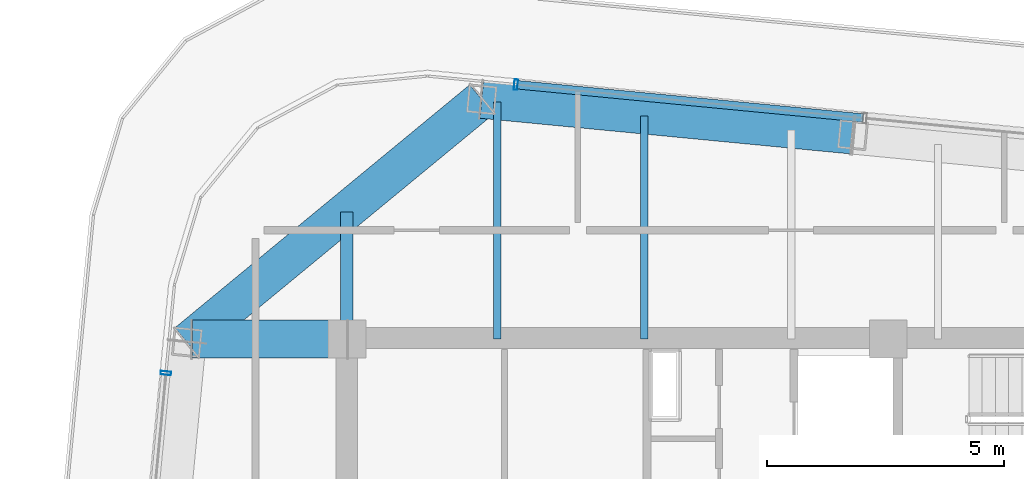
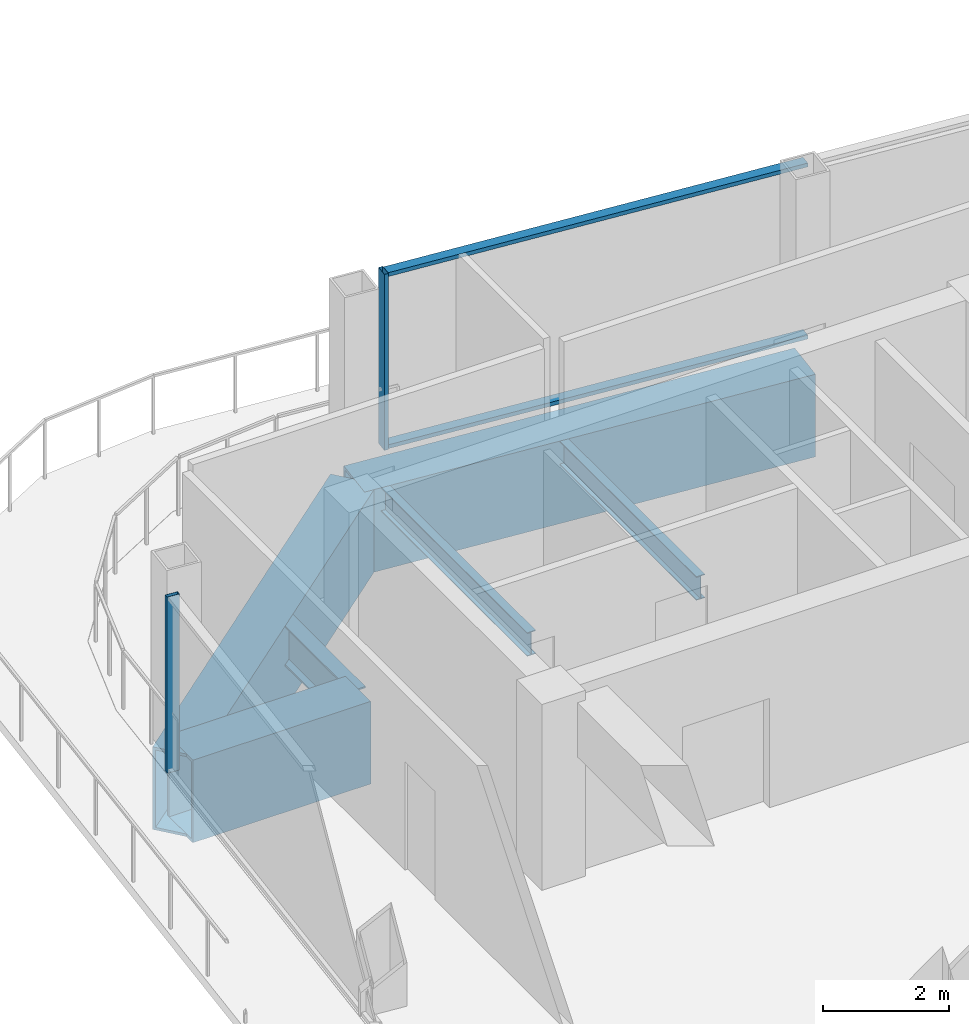
# One storey, part 8 of 20: 6 beams, 4 members, 2 elements without a shape of their own.
"""IFC4 building model written with IfcOpenShell, lengths in metres."""

import ifcopenshell
import ifcopenshell.guid

model = None  # the IFC model being written
_history = None  # IfcOwnerHistory: only IFC2X3 demands one
_inside = {}  # id of a spatial element -> (the spatial element, [elements in it])
_under = {}  # id of a project, library or spatial element -> (it, [spatial elements below it])
_declared = {}  # id of a project -> (the project, [libraries it declares])
_typed = {}  # id of a type object -> (the type object, [elements of that type])
_made_of = {}  # id of a material, layer set ... -> (it, [elements and type objects made of it])


def new_model(schema):
    """Start an empty IFC model of exactly this schema.

    Asked for "IFC4X3", IfcOpenShell would pick the latest addendum, in which some entities
    have other attributes; the version numbers below select the first issue.
    IFC2X3 requires an IfcOwnerHistory on every rooted entity: one is made here for all.
    """
    global model, _history
    if schema == "IFC4X3":
        model = ifcopenshell.file(schema_version=(4, 3, 0, 0))
    else:
        model = ifcopenshell.file(schema=schema)
    _inside.clear()
    _under.clear()
    _declared.clear()
    _typed.clear()
    _made_of.clear()
    _history = None
    if model.schema == "IFC2X3":
        org = make("IfcOrganization", Name="unknown")
        user = make(
            "IfcPersonAndOrganization",
            ThePerson=make("IfcPerson", FamilyName="unknown"),
            TheOrganization=org,
        )
        app = make(
            "IfcApplication",
            ApplicationDeveloper=org,
            Version="unknown",
            ApplicationFullName="unknown",
            ApplicationIdentifier="unknown",
        )
        _history = make(
            "IfcOwnerHistory",
            OwningUser=user,
            OwningApplication=app,
            ChangeAction="ADDED",
            CreationDate=0,
        )
    return model


def make(cls, **values):
    """One entity of the class cls with the attributes given. An attribute that is None is left unset."""
    return model.create_entity(
        cls, **{name: value for name, value in values.items() if value is not None}
    )


def rooted(cls, **values):
    """An entity with a GlobalId (a new one), such as an element, a storey or a relation."""
    return make(cls, GlobalId=ifcopenshell.guid.new(), OwnerHistory=_history, **values)


def si_unit(unit_type, name, prefix=None):
    """IfcSIUnit, for example si_unit("LENGTHUNIT", "METRE", prefix="MILLI")."""
    return make("IfcSIUnit", UnitType=unit_type, Prefix=prefix, Name=name)


def assignment(units):
    """IfcUnitAssignment: the units of a project."""
    return None if units is None else make("IfcUnitAssignment", Units=units)


def point(xyz):
    """IfcCartesianPoint."""
    return None if xyz is None else make("IfcCartesianPoint", Coordinates=xyz)


def direction(xyz):
    """IfcDirection."""
    return None if xyz is None else make("IfcDirection", DirectionRatios=xyz)


def frame(location, z_axis=None, x_axis=None):
    """IfcAxis2Placement3D, a coordinate frame: its origin and axes. An axis left out is left unset."""
    return make(
        "IfcAxis2Placement3D",
        Location=point(location),
        Axis=direction(z_axis),
        RefDirection=direction(x_axis),
    )


def frame_2d(location, x_axis=None):
    """IfcAxis2Placement2D, a coordinate frame in the plane: its origin and x axis."""
    return make(
        "IfcAxis2Placement2D", Location=point(location), RefDirection=direction(x_axis)
    )


def origin():
    """The frame at (0, 0, 0) with its axes left unset."""
    return frame((0.0, 0.0, 0.0))


def origin_2d():
    """The frame at (0, 0) in the plane with its x axis left unset."""
    return frame_2d((0.0, 0.0))


def place(relative_to, where):
    """IfcLocalPlacement: puts the frame where relative to a parent placement (None: the world)."""
    return make(
        "IfcLocalPlacement", PlacementRelTo=relative_to, RelativePlacement=where
    )


def context(
    kind, dimensions, precision=None, world=None, true_north=None, identifier=None
):
    """IfcGeometricRepresentationContext, for example the 3D "Model" context."""
    return make(
        "IfcGeometricRepresentationContext",
        ContextIdentifier=identifier,
        ContextType=kind,
        CoordinateSpaceDimension=dimensions,
        Precision=precision,
        WorldCoordinateSystem=world,
        TrueNorth=true_north,
    )


def subcontext(parent, identifier, kind, view, scale=None):
    """IfcGeometricRepresentationSubContext, for example "Body" below "Model"."""
    return make(
        "IfcGeometricRepresentationSubContext",
        ContextIdentifier=identifier,
        ContextType=kind,
        ParentContext=parent,
        TargetScale=scale,
        TargetView=view,
    )


def project(units=None, contexts=None):
    """IfcProject with its units and contexts."""
    return rooted(
        "IfcProject",
        Name="project",
        RepresentationContexts=contexts,
        UnitsInContext=assignment(units),
    )


def spatial(cls, under=None, at=None, **own):
    """A site, building, storey or space (cls), placed at a placement, below another one or the project."""
    s = rooted(cls, ObjectPlacement=at, **own)
    if under is not None:
        _under.setdefault(under.id(), (under, []))[1].append(s)
    return s


def profile(cls, at=None, kind="AREA", **sizes):
    """A parametric profile (cls). Its sizes go by their IFC names, for example OverallWidth=200.0."""
    return make(cls, ProfileType=kind, Position=at, **sizes)


def hollow_rectangle(**sizes):
    """IfcRectangleHollowProfileDef."""
    return profile("IfcRectangleHollowProfileDef", **sizes)


def i_section(**sizes):
    """IfcIShapeProfileDef."""
    return profile("IfcIShapeProfileDef", **sizes)


def extrude(swept, where, along, depth):
    """IfcExtrudedAreaSolid: the profile swept, set in the frame where, extruded along a direction by depth."""
    return make(
        "IfcExtrudedAreaSolid",
        SweptArea=swept,
        Position=where,
        ExtrudedDirection=direction(along),
        Depth=depth,
    )


def shape(context_of_items, identifier, shape_type, items):
    """IfcShapeRepresentation: the items that make up one representation, for example the "Body"."""
    return make(
        "IfcShapeRepresentation",
        ContextOfItems=context_of_items,
        RepresentationIdentifier=identifier,
        RepresentationType=shape_type,
        Items=items,
    )


def material(Name=None, Category=None):
    """IfcMaterial."""
    return make("IfcMaterial", Name=Name, Category=Category)


def layer(
    of_material, thickness, ventilated=None, Name=None, Category=None, Priority=None
):
    """IfcMaterialLayer: one layer of a wall or slab, of a material (None: an air gap)."""
    return make(
        "IfcMaterialLayer",
        Material=of_material,
        LayerThickness=thickness,
        IsVentilated=ventilated,
        Name=Name,
        Category=Category,
        Priority=Priority,
    )


def layer_set(layers, Name=None):
    """IfcMaterialLayerSet."""
    return make("IfcMaterialLayerSet", MaterialLayers=layers, LayerSetName=Name)


def material_profile(
    of_material, cross_section, Name=None, Category=None, Priority=None
):
    """IfcMaterialProfile: a cross section and its material."""
    return make(
        "IfcMaterialProfile",
        Name=Name,
        Material=of_material,
        Profile=cross_section,
        Priority=Priority,
        Category=Category,
    )


def profile_set(profiles, Name=None, composite=None):
    """IfcMaterialProfileSet."""
    return make(
        "IfcMaterialProfileSet",
        Name=Name,
        MaterialProfiles=profiles,
        CompositeProfile=composite,
    )


def made_of(thing, what):
    """Note that an element or type object is made of a material, layer set ...; save() writes the relation."""
    if what is not None:
        _made_of.setdefault(what.id(), (what, []))[1].append(thing)
    return thing


def type_object(cls, material=None, **own):
    """A type object (cls), such as IfcWallType, which elements share."""
    return made_of(rooted(cls, **own), material)


def element(
    cls,
    number,
    at=None,
    inside=None,
    cuts=None,
    type_object=None,
    material=None,
    context=None,
    identifier="Body",
    shape_type=None,
    held_by="IfcProductDefinitionShape",
    body=None,
    shapes=None,
    **own,
):
    """One element of the class cls, such as IfcWall. Its Tag is "e" and its number.

    at: its placement. inside: the storey or other place that contains it. cuts: it is an
    opening in that element (IfcRelVoidsElement). A single representation is given by context,
    identifier, shape_type and body (its items); several are given by shapes. held_by: the class
    of the entity that holds the representations. save() writes the other relations.
    """
    e = rooted(cls, Tag="e%d" % number, ObjectPlacement=at, **own)
    if body is not None:
        shapes = [shape(context, identifier, shape_type, body)]
    if shapes is not None:
        e.Representation = make(held_by, Representations=shapes)
    if inside is not None:
        _inside.setdefault(inside.id(), (inside, []))[1].append(e)
    if cuts is not None:
        rooted(
            "IfcRelVoidsElement", RelatingBuildingElement=cuts, RelatedOpeningElement=e
        )
    if type_object is not None:
        _typed.setdefault(type_object.id(), (type_object, []))[1].append(e)
    return made_of(e, material)


def aggregate(whole, parts):
    """IfcRelAggregates: a whole, such as a stair, and the parts it consists of."""
    return rooted("IfcRelAggregates", RelatingObject=whole, RelatedObjects=parts)


def save(model, path):
    """Write the relations noted so far, then the file.

    IfcRelAggregates (storeys below a building ...), IfcRelContainedInSpatialStructure (elements
    in a storey), IfcRelDefinesByType, IfcRelAssociatesMaterial and IfcRelDeclares: one each for
    every whole, place, type object, material and project.
    """
    for whole, parts in _under.values():
        aggregate(whole, parts)
    for where, things in _inside.values():
        rooted(
            "IfcRelContainedInSpatialStructure",
            RelatedElements=things,
            RelatingStructure=where,
        )
    for kind, things in _typed.values():
        rooted("IfcRelDefinesByType", RelatedObjects=things, RelatingType=kind)
    for what, things in _made_of.values():
        rooted("IfcRelAssociatesMaterial", RelatedObjects=things, RelatingMaterial=what)
    for by, libraries in _declared.values():
        rooted("IfcRelDeclares", RelatingContext=by, RelatedDefinitions=libraries)
    model.write(path)


model = new_model("IFC4")

# Units and contexts
model_context = context("Model", 3, precision=1e-05, world=origin(), true_north=direction((0.0, 1.0)))
body_context = subcontext(model_context, "Body", "Model", "MODEL_VIEW")
ifc_project = project(units=[si_unit("LENGTHUNIT", "METRE"), si_unit("AREAUNIT", "SQUARE_METRE"), si_unit("VOLUMEUNIT", "CUBIC_METRE"), si_unit("PLANEANGLEUNIT", "RADIAN"), si_unit("MASSUNIT", "GRAM", prefix="KILO")], contexts=[model_context])

# Site, building, storey
site_placement = place(None, origin())
site = spatial("IfcSite", under=ifc_project, at=site_placement, CompositionType="ELEMENT")
building_placement = place(site_placement, origin())
building = spatial("IfcBuilding", under=site, at=building_placement, Name="Qhalaya Broadcast Tower", CompositionType="ELEMENT")
storey_placement = place(building_placement, frame((0.0, 0.0, 273.35009765625)))
storey = spatial("IfcBuildingStorey", under=building, at=storey_placement, Name="L81", CompositionType="ELEMENT", Elevation=273.35009765625)

# Beams
ifc_material_1 = material(Name="Structural Steel ASTM A992 Grade 50", Category="steel")
ifc_material_profile_1 = material_profile(ifc_material_1, i_section(OverallWidth=0.154052734375, OverallDepth=0.458984375, WebThickness=0.009033203125, FlangeThickness=0.015380859375, at=origin_2d()), Name="W18X46")
ifc_profile_set_1 = profile_set([ifc_material_profile_1], Name="Structural Steel ASTM A992 Grade 50")
beam_type_1 = type_object("IfcBeamType", Name="Composite Floor Joist J04", PredefinedType="JOIST", material=ifc_profile_set_1)
beam_1_placement = place(storey_placement, frame((-6.199951171875, 9.949951171875, -0.419677734375), z_axis=(0.0, 1.0, 0.0), x_axis=(-1.0, 0.0, 0.0)))
element("IfcBeam", 1, at=beam_1_placement, inside=storey, type_object=beam_type_1, Name="L81 J04 L81-JNN1-1", PredefinedType="JOIST", context=body_context, shape_type="SweptSolid", body=[
    extrude(i_section(OverallWidth=0.154052734375, OverallDepth=0.458984375, WebThickness=0.009033203125, FlangeThickness=0.015380859375, at=origin_2d()), origin(), (0.0, 0.0, 1.0), 5.0087890625),
])
beam_2_placement = place(storey_placement, frame((-3.10009765625, 9.949951171875, -0.419677734375), z_axis=(0.0, 1.0, 0.0), x_axis=(-1.0, 0.0, 0.0)))
element("IfcBeam", 2, at=beam_2_placement, inside=storey, type_object=beam_type_1, Name="L81 J04 L81-JNN2-1", PredefinedType="JOIST", context=body_context, shape_type="SweptSolid", body=[
    extrude(i_section(OverallWidth=0.154052734375, OverallDepth=0.458984375, WebThickness=0.009033203125, FlangeThickness=0.015380859375, at=origin_2d()), origin(), (0.0, 0.0, 1.0), 4.710205078125),
])
ifc_material_profile_2 = material_profile(ifc_material_1, i_section(OverallWidth=0.26708984375, OverallDepth=0.780029296875, WebThickness=0.0166015625, FlangeThickness=0.030029296875, at=origin_2d()), Name="W30X148")
ifc_profile_set_2 = profile_set([ifc_material_profile_2], Name="Structural Steel ASTM A992 Grade 50")
beam_type_2 = type_object("IfcBeamType", Name="Neck & Crown Primary Girder PG5", PredefinedType="USERDEFINED", material=ifc_profile_set_2)
beam_3_placement = place(storey_placement, frame((-9.375, 9.949951171875, -0.580078125), z_axis=(0.0, 1.0, 0.0), x_axis=(-1.0, 0.0, 0.0)))
element("IfcBeam", 3, at=beam_3_placement, inside=storey, type_object=beam_type_2, Name="L81 PG5 L81-PGXN1-1", ObjectType="GIRDER", PredefinedType="USERDEFINED", context=body_context, shape_type="SweptSolid", body=[
    extrude(i_section(OverallWidth=0.26708984375, OverallDepth=0.780029296875, WebThickness=0.0166015625, FlangeThickness=0.030029296875, at=origin_2d()), origin(), (0.0, 0.0, 1.0), 2.68798828125),
])

# Curtain wall, member
ifc_material_2 = material(Name="Solar-Control Low-E Triple Glazing", Category="glass")
ifc_layer = layer(ifc_material_2, 0.219970703125, Name="Solar-Control Low-E Triple Glazing")
ifc_layer_set = layer_set([ifc_layer], Name="Solar-Control Low-E Triple Glazing")
curtain_wall_type = type_object("IfcCurtainWallType", Name="Crown Garden & Observation Windscreen Curtain Wall CW-06", PredefinedType="NOTDEFINED", material=ifc_layer_set)
curtain_wall_1_placement = place(storey_placement, origin())
curtain_wall_1 = element("IfcCurtainWall", 4, at=curtain_wall_1_placement, inside=storey, type_object=curtain_wall_type, Name="L81 Unitised Curtain Wall L81-CW-N", PredefinedType="NOTDEFINED")
ifc_material_3 = material(Name="Anodised Aluminium 6063-T6", Category="aluminium")
ifc_material_profile_3 = material_profile(ifc_material_3, hollow_rectangle(XDim=0.074951171875, YDim=0.219970703125, WallThickness=0.00390625, at=origin_2d()), Name="ALU-MUL 75x220x4")
ifc_profile_set_3 = profile_set([ifc_material_profile_3], Name="Anodised Aluminium 6063-T6")
member_type_1 = type_object("IfcMemberType", Name="Unitised Curtain-Wall Mullion M01", PredefinedType="MULLION", material=ifc_profile_set_3)
member_1_placement = place(storey_placement, frame((-5.8076171875, 15.32275390625, 0.0), z_axis=(0.0, 0.0, 1.0), x_axis=(-0.995396013928, 0.095847667974, 0.0)))
member_1 = element("IfcMember", 5, at=member_1_placement, type_object=member_type_1, Name="CW-06 mullion 4", PredefinedType="MULLION", context=body_context, shape_type="SweptSolid", body=[
    extrude(hollow_rectangle(XDim=0.074951171875, YDim=0.219970703125, WallThickness=0.00390625, at=origin_2d()), origin(), (0.0, 0.0, 1.0), 3.409912109375),
])

curtain_wall_2_placement = place(storey_placement, origin())
curtain_wall_2 = element("IfcCurtainWall", 6, at=curtain_wall_2_placement, inside=storey, type_object=curtain_wall_type, Name="L81 Unitised Curtain Wall L81-CW-W", PredefinedType="NOTDEFINED")
member_2_placement = place(storey_placement, frame((-13.192626953125, 9.235107421875, 0.0), z_axis=(0.0, 0.0, 1.0), x_axis=(-0.095847667974, -0.995396013928, 0.0)))
member_2 = element("IfcMember", 7, at=member_2_placement, type_object=member_type_1, Name="CW-06 mullion 1", PredefinedType="MULLION", context=body_context, shape_type="SweptSolid", body=[
    extrude(hollow_rectangle(XDim=0.074951171875, YDim=0.219970703125, WallThickness=0.00390625, at=origin_2d()), origin(), (0.0, 0.0, 1.0), 3.409912109375),
])
aggregate(curtain_wall_2, [member_2])

# Member
ifc_material_profile_4 = material_profile(ifc_material_3, hollow_rectangle(XDim=0.074951171875, YDim=0.179931640625, WallThickness=0.00390625, at=origin_2d()), Name="ALU-TRN 75x180x4")
ifc_profile_set_4 = profile_set([ifc_material_profile_4], Name="Anodised Aluminium 6063-T6")
member_type_2 = type_object("IfcMemberType", Name="Unitised Curtain-Wall Transom T01", PredefinedType="USERDEFINED", material=ifc_profile_set_4)
member_3_placement = place(storey_placement, frame((1.516845703125, 14.617431640625, 0.037353515625), z_axis=(-0.995396311348, 0.095844579162, 0.0), x_axis=(0.0, 0.0, 1.0)))
member_3 = element("IfcMember", 8, at=member_3_placement, type_object=member_type_2, Name="CW-06 transom 3.1", ObjectType="TRANSOM", PredefinedType="USERDEFINED", context=body_context, shape_type="SweptSolid", body=[
    extrude(hollow_rectangle(XDim=0.074951171875, YDim=0.179931640625, WallThickness=0.00390625, at=origin_2d()), origin(), (0.0, 0.0, 1.0), 7.32080078125),
])

member_4_placement = place(storey_placement, frame((1.516845703125, 14.617431640625, 3.372314453125), z_axis=(-0.995396311348, 0.095844579162, 0.0), x_axis=(0.0, 0.0, 1.0)))
member_4 = element("IfcMember", 9, at=member_4_placement, type_object=member_type_2, Name="CW-06 transom 3.2", ObjectType="TRANSOM", PredefinedType="USERDEFINED", context=body_context, shape_type="SweptSolid", body=[
    extrude(hollow_rectangle(XDim=0.074951171875, YDim=0.179931640625, WallThickness=0.00390625, at=origin_2d()), origin(), (0.0, 0.0, 1.0), 7.32080078125),
])

aggregate(curtain_wall_1, [member_1, member_3, member_4])

# Beams
ifc_material_4 = material(Name="Structural Steel ASTM A572 Grade 50", Category="steel")
ifc_material_profile_5 = material_profile(ifc_material_4, hollow_rectangle(XDim=0.800048828125, YDim=1.60009765625, WallThickness=0.050048828125, at=origin_2d()), Name="BOX 800x1600x50")
ifc_profile_set_5 = profile_set([ifc_material_profile_5], Name="Structural Steel ASTM A572 Grade 50")
beam_type_3 = type_object("IfcBeamType", Name="Upper Cantilever Transfer Box Girder TG2", PredefinedType="USERDEFINED", material=ifc_profile_set_5)
beam_4_placement = place(storey_placement, frame((1.302001953125, 14.25634765625, -0.989990234375), z_axis=(-0.995394062251, 0.095867934346, 0.0), x_axis=(-0.095867934346, -0.995394062251, 0.0)))
element("IfcBeam", 10, at=beam_4_placement, inside=storey, type_object=beam_type_3, Name="L81 TG2 L81-SPR-11", ObjectType="GIRDER", PredefinedType="USERDEFINED", context=body_context, shape_type="SweptSolid", body=[
    extrude(hollow_rectangle(XDim=0.800048828125, YDim=1.60009765625, WallThickness=0.050048828125, at=origin_2d()), origin(), (0.0, 0.0, 1.0), 7.866455078125),
])
beam_5_placement = place(storey_placement, frame((-6.5283203125, 15.010498046875, -0.989990234375), z_axis=(-0.771631160126, -0.636070241972, 0.0), x_axis=(0.636070241972, -0.771631160126, 0.0)))
element("IfcBeam", 11, at=beam_5_placement, inside=storey, type_object=beam_type_3, Name="L81 TG2 L81-SPR-12", ObjectType="GIRDER", PredefinedType="USERDEFINED", context=body_context, shape_type="SweptSolid", body=[
    extrude(hollow_rectangle(XDim=0.800048828125, YDim=1.60009765625, WallThickness=0.050048828125, at=origin_2d()), origin(), (0.0, 0.0, 1.0), 8.06103515625),
])
beam_6_placement = place(storey_placement, frame((-12.6357421875, 9.949951171875, -0.989990234375), z_axis=(1.0, 0.0, 0.0), x_axis=(0.0, 1.0, 0.0)))
element("IfcBeam", 12, at=beam_6_placement, inside=storey, type_object=beam_type_3, Name="L81 TG2 L81-PGYW4-1", ObjectType="GIRDER", PredefinedType="USERDEFINED", context=body_context, shape_type="SweptSolid", body=[
    extrude(hollow_rectangle(XDim=0.800048828125, YDim=1.60009765625, WallThickness=0.050048828125, at=origin_2d()), origin(), (0.0, 0.0, 1.0), 3.2607421875),
])

save(model, "model.ifc")
